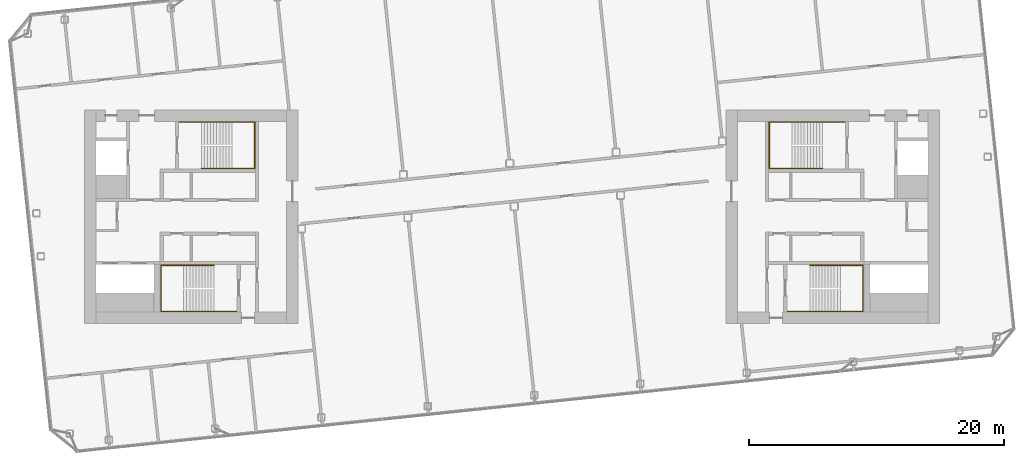
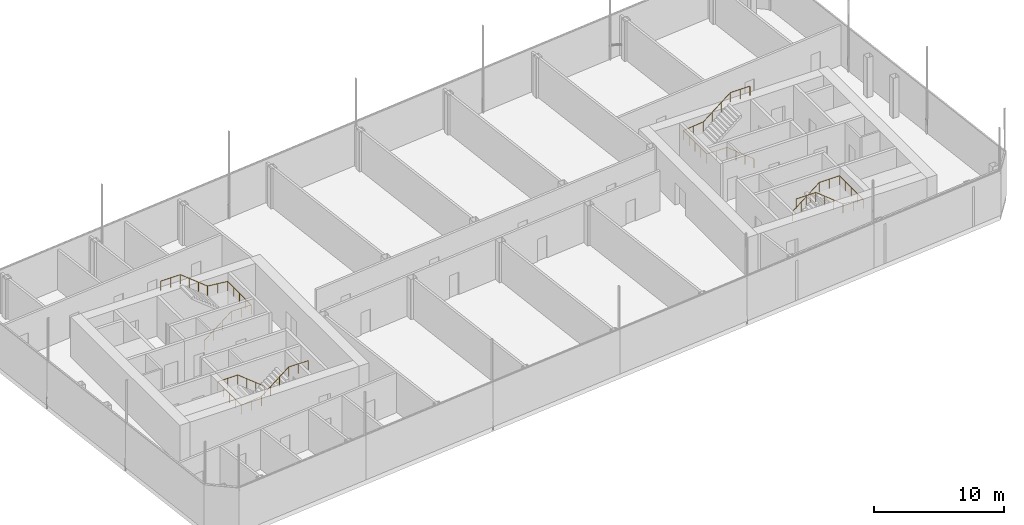
# One storey, part 41 of 41: 4 railings.
"""IFC4 building model written with IfcOpenShell, lengths in metres."""

from ifc_helpers import new_model, si_unit, direction, frame, origin, origin_2d, place, context, subcontext, project, spatial, circle, extrude, material, type_object, element, save


model = new_model("IFC4")

# Units and contexts
model_context = context("Model", 3, precision=1e-05, world=origin(), true_north=direction((0.0, 1.0)))
body_context = subcontext(model_context, "Body", "Model", "MODEL_VIEW")
ifc_project = project(units=[si_unit("LENGTHUNIT", "METRE"), si_unit("AREAUNIT", "SQUARE_METRE"), si_unit("VOLUMEUNIT", "CUBIC_METRE"), si_unit("PLANEANGLEUNIT", "RADIAN"), si_unit("MASSUNIT", "GRAM", prefix="KILO")], contexts=[model_context])

# Site, building, storey
site_placement = place(None, origin())
site = spatial("IfcSite", under=ifc_project, at=site_placement, CompositionType="ELEMENT")
building_placement = place(site_placement, origin())
building = spatial("IfcBuilding", under=site, at=building_placement, Name="Hakoniwa Tower and Hamabe Station Hall", CompositionType="ELEMENT")
storey_placement = place(building_placement, frame((0.0, 0.0, 276.60009765625)))
storey = spatial("IfcBuildingStorey", under=building, at=storey_placement, Name="L77", CompositionType="ELEMENT", Elevation=276.60009765625)

# Railings
ifc_material = material(Name="Stainless steel SUS304", Category="steel")
railing_type = type_object("IfcRailingType", Name="STAIR HANDRAIL 900", PredefinedType="HANDRAIL", material=ifc_material)
railing_1_placement = place(storey_placement, frame((-24.39990234375, 3.81005859375, 0.19091796875)))
element("IfcRailing", 1, at=railing_1_placement, inside=storey, type_object=railing_type, Name="Handrail ST-1 L77 1", PredefinedType="HANDRAIL", context=body_context, shape_type="SweptSolid", body=[
    extrude(circle(Radius=0.02392578125, at=origin_2d()), frame((0.0, 0.0, 0.8759765625), z_axis=(0.782613395448, 0.0, 0.622508050764), x_axis=(0.0, 1.0, 0.0)), (0.0, 0.0, 1.0), 3.06640625),
    extrude(circle(Radius=0.02392578125, at=origin_2d()), frame((2.39990234375, 0.0, 2.78466796875), z_axis=(1.0, 0.0, 0.0), x_axis=(0.0, 1.0, 0.0)), (0.0, 0.0, 1.0), 1.7900390625),
    extrude(circle(Radius=0.02392578125, at=origin_2d()), frame((4.18994140625, 0.0, 2.78466796875), z_axis=(0.0, 1.0, 0.0), x_axis=(-1.0, 0.0, 0.0)), (0.0, 0.0, 1.0), 3.6298828125),
    extrude(circle(Radius=0.02392578125, at=origin_2d()), frame((4.18994140625, 3.6298828125, 2.78466796875), z_axis=(-0.994360344759, 0.0, 0.106054253901), x_axis=(0.0, -1.0, 0.0)), (0.0, 0.0, 1.0), 1.80029296875),
    extrude(circle(Radius=0.02392578125, at=origin_2d()), frame((2.39990234375, 3.6298828125, 2.9755859375), z_axis=(-0.782574608867, 0.0, 0.622556809903), x_axis=(0.0, -1.0, 0.0)), (0.0, 0.0, 1.0), 3.066650390625),
    extrude(circle(Radius=0.02392578125, at=origin_2d()), frame((0.0, 3.6298828125, 4.884765625), z_axis=(-1.0, 0.0, 0.0), x_axis=(0.0, -1.0, 0.0)), (0.0, 0.0, 1.0), 1.739990234375),
    extrude(circle(Radius=0.02099609375, at=origin_2d()), origin(), (0.0, 0.0, 1.0), 0.851806640625),
    extrude(circle(Radius=0.02099609375, at=origin_2d()), frame((0.800048828125, 0.0, 0.63623046875)), (0.0, 0.0, 1.0), 0.851806640625),
    extrude(circle(Radius=0.02099609375, at=origin_2d()), frame((1.599853515625, 0.0, 1.272705078125)), (0.0, 0.0, 1.0), 0.851806640625),
    extrude(circle(Radius=0.02099609375, at=origin_2d()), frame((2.39990234375, 0.0, 1.908935546875)), (0.0, 0.0, 1.0), 0.851806640625),
    extrude(circle(Radius=0.02099609375, at=origin_2d()), frame((3.294921875, 0.0, 1.908935546875)), (0.0, 0.0, 1.0), 0.851806640625),
    extrude(circle(Radius=0.02099609375, at=origin_2d()), frame((4.18994140625, 0.0, 1.908935546875)), (0.0, 0.0, 1.0), 0.851806640625),
    extrude(circle(Radius=0.02099609375, at=origin_2d()), frame((4.18994140625, 0.907470703125, 1.908935546875)), (0.0, 0.0, 1.0), 0.851806640625),
    extrude(circle(Radius=0.02099609375, at=origin_2d()), frame((4.18994140625, 1.81494140625, 1.908935546875)), (0.0, 0.0, 1.0), 0.851806640625),
    extrude(circle(Radius=0.02099609375, at=origin_2d()), frame((4.18994140625, 2.722412109375, 1.908935546875)), (0.0, 0.0, 1.0), 0.851806640625),
    extrude(circle(Radius=0.02099609375, at=origin_2d()), frame((4.18994140625, 3.6298828125, 1.908935546875)), (0.0, 0.0, 1.0), 0.851806640625),
    extrude(circle(Radius=0.02099609375, at=origin_2d()), frame((3.294921875, 3.6298828125, 2.00439453125)), (0.0, 0.0, 1.0), 0.851806640625),
    extrude(circle(Radius=0.02099609375, at=origin_2d()), frame((2.39990234375, 3.6298828125, 2.099853515625)), (0.0, 0.0, 1.0), 0.851806640625),
    extrude(circle(Radius=0.02099609375, at=origin_2d()), frame((1.599853515625, 3.6298828125, 2.736328125)), (0.0, 0.0, 1.0), 0.851806640625),
    extrude(circle(Radius=0.02099609375, at=origin_2d()), frame((0.800048828125, 3.6298828125, 3.37255859375)), (0.0, 0.0, 1.0), 0.851806640625),
    extrude(circle(Radius=0.02099609375, at=origin_2d()), frame((0.0, 3.6298828125, 4.009033203125)), (0.0, 0.0, 1.0), 0.851806640625),
    extrude(circle(Radius=0.02099609375, at=origin_2d()), frame((-0.8701171875, 3.6298828125, 4.009033203125)), (0.0, 0.0, 1.0), 0.851806640625),
    extrude(circle(Radius=0.02099609375, at=origin_2d()), frame((-1.739990234375, 3.6298828125, 4.009033203125)), (0.0, 0.0, 1.0), 0.851806640625),
])
railing_2_placement = place(storey_placement, frame((-23.39990234375, -3.81005859375, 0.19091796875)))
element("IfcRailing", 2, at=railing_2_placement, inside=storey, type_object=railing_type, Name="Handrail ST-2 L77 1", PredefinedType="HANDRAIL", context=body_context, shape_type="SweptSolid", body=[
    extrude(circle(Radius=0.02392578125, at=origin_2d()), frame((0.0, 0.0, 0.8759765625), z_axis=(-0.782644244592, 0.0, 0.622469265432), x_axis=(0.0, -1.0, 0.0)), (0.0, 0.0, 1.0), 3.066650390625),
    extrude(circle(Radius=0.02392578125, at=origin_2d()), frame((-2.400146484375, 0.0, 2.78466796875), z_axis=(-1.0, 0.0, 0.0), x_axis=(0.0, -1.0, 0.0)), (0.0, 0.0, 1.0), 1.7900390625),
    extrude(circle(Radius=0.02392578125, at=origin_2d()), frame((-4.190185546875, 0.0, 2.78466796875), z_axis=(0.0, -1.0, 0.0), x_axis=(1.0, 0.0, 0.0)), (0.0, 0.0, 1.0), 3.6298828125),
    extrude(circle(Radius=0.02392578125, at=origin_2d()), frame((-4.190185546875, -3.6298828125, 2.78466796875), z_axis=(0.994360344759, 0.0, 0.106054253901), x_axis=(0.0, 1.0, 0.0)), (0.0, 0.0, 1.0), 1.80029296875),
    extrude(circle(Radius=0.02392578125, at=origin_2d()), frame((-2.400146484375, -3.6298828125, 2.9755859375), z_axis=(0.782605461315, 0.0, 0.622518025377), x_axis=(0.0, 1.0, 0.0)), (0.0, 0.0, 1.0), 3.06689453125),
    extrude(circle(Radius=0.02392578125, at=origin_2d()), frame((0.0, -3.6298828125, 4.884765625), z_axis=(1.0, 0.0, 0.0), x_axis=(0.0, 1.0, 0.0)), (0.0, 0.0, 1.0), 1.739990234375),
    extrude(circle(Radius=0.02099609375, at=origin_2d()), origin(), (0.0, 0.0, 1.0), 0.851806640625),
    extrude(circle(Radius=0.02099609375, at=origin_2d()), frame((-0.800048828125, 0.0, 0.63623046875)), (0.0, 0.0, 1.0), 0.851806640625),
    extrude(circle(Radius=0.02099609375, at=origin_2d()), frame((-1.60009765625, 0.0, 1.272705078125)), (0.0, 0.0, 1.0), 0.851806640625),
    extrude(circle(Radius=0.02099609375, at=origin_2d()), frame((-2.400146484375, 0.0, 1.908935546875)), (0.0, 0.0, 1.0), 0.851806640625),
    extrude(circle(Radius=0.02099609375, at=origin_2d()), frame((-3.295166015625, 0.0, 1.908935546875)), (0.0, 0.0, 1.0), 0.851806640625),
    extrude(circle(Radius=0.02099609375, at=origin_2d()), frame((-4.190185546875, 0.0, 1.908935546875)), (0.0, 0.0, 1.0), 0.851806640625),
    extrude(circle(Radius=0.02099609375, at=origin_2d()), frame((-4.190185546875, -0.907470703125, 1.908935546875)), (0.0, 0.0, 1.0), 0.851806640625),
    extrude(circle(Radius=0.02099609375, at=origin_2d()), frame((-4.190185546875, -1.81494140625, 1.908935546875)), (0.0, 0.0, 1.0), 0.851806640625),
    extrude(circle(Radius=0.02099609375, at=origin_2d()), frame((-4.190185546875, -2.722412109375, 1.908935546875)), (0.0, 0.0, 1.0), 0.851806640625),
    extrude(circle(Radius=0.02099609375, at=origin_2d()), frame((-4.190185546875, -3.6298828125, 1.908935546875)), (0.0, 0.0, 1.0), 0.851806640625),
    extrude(circle(Radius=0.02099609375, at=origin_2d()), frame((-3.295166015625, -3.6298828125, 2.00439453125)), (0.0, 0.0, 1.0), 0.851806640625),
    extrude(circle(Radius=0.02099609375, at=origin_2d()), frame((-2.400146484375, -3.6298828125, 2.099853515625)), (0.0, 0.0, 1.0), 0.851806640625),
    extrude(circle(Radius=0.02099609375, at=origin_2d()), frame((-1.60009765625, -3.6298828125, 2.736328125)), (0.0, 0.0, 1.0), 0.851806640625),
    extrude(circle(Radius=0.02099609375, at=origin_2d()), frame((-0.800048828125, -3.6298828125, 3.37255859375)), (0.0, 0.0, 1.0), 0.851806640625),
    extrude(circle(Radius=0.02099609375, at=origin_2d()), frame((0.0, -3.6298828125, 4.009033203125)), (0.0, 0.0, 1.0), 0.851806640625),
    extrude(circle(Radius=0.02099609375, at=origin_2d()), frame((0.8701171875, -3.6298828125, 4.009033203125)), (0.0, 0.0, 1.0), 0.851806640625),
    extrude(circle(Radius=0.02099609375, at=origin_2d()), frame((1.739990234375, -3.6298828125, 4.009033203125)), (0.0, 0.0, 1.0), 0.851806640625),
])
railing_3_placement = place(storey_placement, frame((24.39990234375, 3.81005859375, 0.19091796875)))
element("IfcRailing", 3, at=railing_3_placement, inside=storey, type_object=railing_type, Name="Handrail ST-3 L77 1", PredefinedType="HANDRAIL", context=body_context, shape_type="SweptSolid", body=[
    extrude(circle(Radius=0.02392578125, at=origin_2d()), frame((0.0, 0.0, 0.8759765625), z_axis=(-0.782613395448, 0.0, 0.622508050764), x_axis=(0.0, -1.0, 0.0)), (0.0, 0.0, 1.0), 3.06640625),
    extrude(circle(Radius=0.02392578125, at=origin_2d()), frame((-2.39990234375, 0.0, 2.78466796875), z_axis=(-1.0, 0.0, 0.0), x_axis=(0.0, -1.0, 0.0)), (0.0, 0.0, 1.0), 1.7900390625),
    extrude(circle(Radius=0.02392578125, at=origin_2d()), frame((-4.18994140625, 0.0, 2.78466796875), z_axis=(0.0, 1.0, 0.0), x_axis=(-1.0, 0.0, 0.0)), (0.0, 0.0, 1.0), 3.6298828125),
    extrude(circle(Radius=0.02392578125, at=origin_2d()), frame((-4.18994140625, 3.6298828125, 2.78466796875), z_axis=(0.994360344759, 0.0, 0.106054253901), x_axis=(0.0, 1.0, 0.0)), (0.0, 0.0, 1.0), 1.80029296875),
    extrude(circle(Radius=0.02392578125, at=origin_2d()), frame((-2.39990234375, 3.6298828125, 2.9755859375), z_axis=(0.782574608867, 0.0, 0.622556809903), x_axis=(0.0, 1.0, 0.0)), (0.0, 0.0, 1.0), 3.066650390625),
    extrude(circle(Radius=0.02392578125, at=origin_2d()), frame((0.0, 3.6298828125, 4.884765625), z_axis=(1.0, 0.0, 0.0), x_axis=(0.0, 1.0, 0.0)), (0.0, 0.0, 1.0), 1.739990234375),
    extrude(circle(Radius=0.02099609375, at=origin_2d()), origin(), (0.0, 0.0, 1.0), 0.851806640625),
    extrude(circle(Radius=0.02099609375, at=origin_2d()), frame((-0.800048828125, 0.0, 0.63623046875)), (0.0, 0.0, 1.0), 0.851806640625),
    extrude(circle(Radius=0.02099609375, at=origin_2d()), frame((-1.599853515625, 0.0, 1.272705078125)), (0.0, 0.0, 1.0), 0.851806640625),
    extrude(circle(Radius=0.02099609375, at=origin_2d()), frame((-2.39990234375, 0.0, 1.908935546875)), (0.0, 0.0, 1.0), 0.851806640625),
    extrude(circle(Radius=0.02099609375, at=origin_2d()), frame((-3.294921875, 0.0, 1.908935546875)), (0.0, 0.0, 1.0), 0.851806640625),
    extrude(circle(Radius=0.02099609375, at=origin_2d()), frame((-4.18994140625, 0.0, 1.908935546875)), (0.0, 0.0, 1.0), 0.851806640625),
    extrude(circle(Radius=0.02099609375, at=origin_2d()), frame((-4.18994140625, 0.907470703125, 1.908935546875)), (0.0, 0.0, 1.0), 0.851806640625),
    extrude(circle(Radius=0.02099609375, at=origin_2d()), frame((-4.18994140625, 1.81494140625, 1.908935546875)), (0.0, 0.0, 1.0), 0.851806640625),
    extrude(circle(Radius=0.02099609375, at=origin_2d()), frame((-4.18994140625, 2.722412109375, 1.908935546875)), (0.0, 0.0, 1.0), 0.851806640625),
    extrude(circle(Radius=0.02099609375, at=origin_2d()), frame((-4.18994140625, 3.6298828125, 1.908935546875)), (0.0, 0.0, 1.0), 0.851806640625),
    extrude(circle(Radius=0.02099609375, at=origin_2d()), frame((-3.294921875, 3.6298828125, 2.00439453125)), (0.0, 0.0, 1.0), 0.851806640625),
    extrude(circle(Radius=0.02099609375, at=origin_2d()), frame((-2.39990234375, 3.6298828125, 2.099853515625)), (0.0, 0.0, 1.0), 0.851806640625),
    extrude(circle(Radius=0.02099609375, at=origin_2d()), frame((-1.599853515625, 3.6298828125, 2.736328125)), (0.0, 0.0, 1.0), 0.851806640625),
    extrude(circle(Radius=0.02099609375, at=origin_2d()), frame((-0.800048828125, 3.6298828125, 3.37255859375)), (0.0, 0.0, 1.0), 0.851806640625),
    extrude(circle(Radius=0.02099609375, at=origin_2d()), frame((0.0, 3.6298828125, 4.009033203125)), (0.0, 0.0, 1.0), 0.851806640625),
    extrude(circle(Radius=0.02099609375, at=origin_2d()), frame((0.8701171875, 3.6298828125, 4.009033203125)), (0.0, 0.0, 1.0), 0.851806640625),
    extrude(circle(Radius=0.02099609375, at=origin_2d()), frame((1.739990234375, 3.6298828125, 4.009033203125)), (0.0, 0.0, 1.0), 0.851806640625),
])
railing_4_placement = place(storey_placement, frame((23.39990234375, -3.81005859375, 0.19091796875)))
element("IfcRailing", 4, at=railing_4_placement, inside=storey, type_object=railing_type, Name="Handrail ST-4 L77 1", PredefinedType="HANDRAIL", context=body_context, shape_type="SweptSolid", body=[
    extrude(circle(Radius=0.02392578125, at=origin_2d()), frame((0.0, 0.0, 0.8759765625), z_axis=(0.782644244592, 0.0, 0.622469265432), x_axis=(0.0, 1.0, 0.0)), (0.0, 0.0, 1.0), 3.066650390625),
    extrude(circle(Radius=0.02392578125, at=origin_2d()), frame((2.400146484375, 0.0, 2.78466796875), z_axis=(1.0, 0.0, 0.0), x_axis=(0.0, 1.0, 0.0)), (0.0, 0.0, 1.0), 1.7900390625),
    extrude(circle(Radius=0.02392578125, at=origin_2d()), frame((4.190185546875, 0.0, 2.78466796875), z_axis=(0.0, -1.0, 0.0), x_axis=(1.0, 0.0, 0.0)), (0.0, 0.0, 1.0), 3.6298828125),
    extrude(circle(Radius=0.02392578125, at=origin_2d()), frame((4.190185546875, -3.6298828125, 2.78466796875), z_axis=(-0.994360344759, 0.0, 0.106054253901), x_axis=(0.0, -1.0, 0.0)), (0.0, 0.0, 1.0), 1.80029296875),
    extrude(circle(Radius=0.02392578125, at=origin_2d()), frame((2.400146484375, -3.6298828125, 2.9755859375), z_axis=(-0.782605461315, 0.0, 0.622518025377), x_axis=(0.0, -1.0, 0.0)), (0.0, 0.0, 1.0), 3.06689453125),
    extrude(circle(Radius=0.02392578125, at=origin_2d()), frame((0.0, -3.6298828125, 4.884765625), z_axis=(-1.0, 0.0, 0.0), x_axis=(0.0, -1.0, 0.0)), (0.0, 0.0, 1.0), 1.739990234375),
    extrude(circle(Radius=0.02099609375, at=origin_2d()), origin(), (0.0, 0.0, 1.0), 0.851806640625),
    extrude(circle(Radius=0.02099609375, at=origin_2d()), frame((0.800048828125, 0.0, 0.63623046875)), (0.0, 0.0, 1.0), 0.851806640625),
    extrude(circle(Radius=0.02099609375, at=origin_2d()), frame((1.60009765625, 0.0, 1.272705078125)), (0.0, 0.0, 1.0), 0.851806640625),
    extrude(circle(Radius=0.02099609375, at=origin_2d()), frame((2.400146484375, 0.0, 1.908935546875)), (0.0, 0.0, 1.0), 0.851806640625),
    extrude(circle(Radius=0.02099609375, at=origin_2d()), frame((3.295166015625, 0.0, 1.908935546875)), (0.0, 0.0, 1.0), 0.851806640625),
    extrude(circle(Radius=0.02099609375, at=origin_2d()), frame((4.190185546875, 0.0, 1.908935546875)), (0.0, 0.0, 1.0), 0.851806640625),
    extrude(circle(Radius=0.02099609375, at=origin_2d()), frame((4.190185546875, -0.907470703125, 1.908935546875)), (0.0, 0.0, 1.0), 0.851806640625),
    extrude(circle(Radius=0.02099609375, at=origin_2d()), frame((4.190185546875, -1.81494140625, 1.908935546875)), (0.0, 0.0, 1.0), 0.851806640625),
    extrude(circle(Radius=0.02099609375, at=origin_2d()), frame((4.190185546875, -2.722412109375, 1.908935546875)), (0.0, 0.0, 1.0), 0.851806640625),
    extrude(circle(Radius=0.02099609375, at=origin_2d()), frame((4.190185546875, -3.6298828125, 1.908935546875)), (0.0, 0.0, 1.0), 0.851806640625),
    extrude(circle(Radius=0.02099609375, at=origin_2d()), frame((3.295166015625, -3.6298828125, 2.00439453125)), (0.0, 0.0, 1.0), 0.851806640625),
    extrude(circle(Radius=0.02099609375, at=origin_2d()), frame((2.400146484375, -3.6298828125, 2.099853515625)), (0.0, 0.0, 1.0), 0.851806640625),
    extrude(circle(Radius=0.02099609375, at=origin_2d()), frame((1.60009765625, -3.6298828125, 2.736328125)), (0.0, 0.0, 1.0), 0.851806640625),
    extrude(circle(Radius=0.02099609375, at=origin_2d()), frame((0.800048828125, -3.6298828125, 3.37255859375)), (0.0, 0.0, 1.0), 0.851806640625),
    extrude(circle(Radius=0.02099609375, at=origin_2d()), frame((0.0, -3.6298828125, 4.009033203125)), (0.0, 0.0, 1.0), 0.851806640625),
    extrude(circle(Radius=0.02099609375, at=origin_2d()), frame((-0.8701171875, -3.6298828125, 4.009033203125)), (0.0, 0.0, 1.0), 0.851806640625),
    extrude(circle(Radius=0.02099609375, at=origin_2d()), frame((-1.739990234375, -3.6298828125, 4.009033203125)), (0.0, 0.0, 1.0), 0.851806640625),
])

save(model, "model.ifc")
